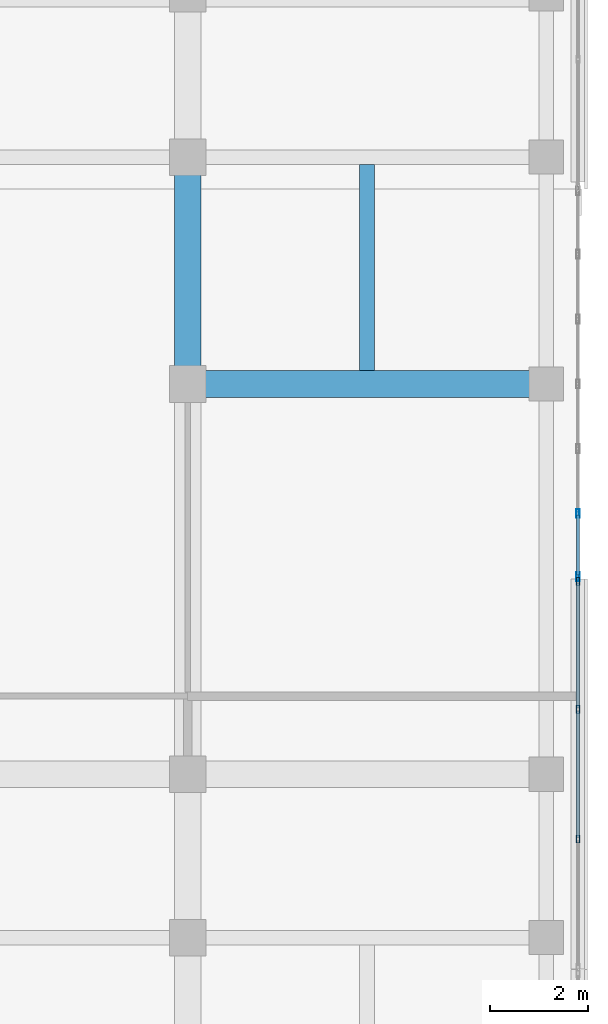
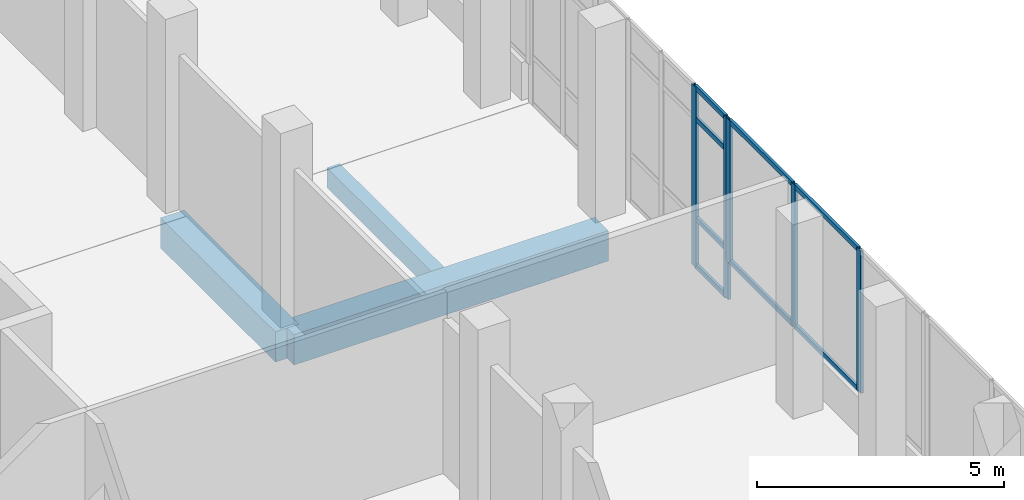
# One storey, part 103 of 155: 13 members, 3 beams, 2 elements without a shape of their own.
"""IFC4 building model written with IfcOpenShell, lengths in metres."""

from ifc_helpers import new_model, si_unit, direction, frame, origin, origin_2d, place, context, subcontext, project, spatial, rectangle, hollow_rectangle, extrude, material, material_profile, profile_set, type_object, element, aggregate, save


model = new_model("IFC4")

# Units and contexts
model_context = context("Model", 3, precision=1e-05, world=origin(), true_north=direction((0.0, 1.0)))
body_context = subcontext(model_context, "Body", "Model", "MODEL_VIEW")
ifc_project = project(units=[si_unit("LENGTHUNIT", "METRE"), si_unit("AREAUNIT", "SQUARE_METRE"), si_unit("VOLUMEUNIT", "CUBIC_METRE"), si_unit("PLANEANGLEUNIT", "RADIAN"), si_unit("MASSUNIT", "GRAM", prefix="KILO")], contexts=[model_context])

# Site, building, storey
site_placement = place(None, origin())
site = spatial("IfcSite", under=ifc_project, at=site_placement, CompositionType="ELEMENT")
building_placement = place(site_placement, origin())
building = spatial("IfcBuilding", under=site, at=building_placement, Name="Selatvlak General Hospital", CompositionType="ELEMENT")
storey_placement = place(building_placement, frame((0.0, 0.0, 10.199951171875)))
storey = spatial("IfcBuildingStorey", under=building, at=storey_placement, Name="L02", CompositionType="ELEMENT", Elevation=10.199951171875)

# Beams
ifc_material_1 = material(Name="Concrete C40/50", Category="concrete")
ifc_material_profile_1 = material_profile(ifc_material_1, rectangle(XDim=0.550048828125, YDim=0.75, at=origin_2d()), Name="RC-BM 550x750")
ifc_profile_set_1 = profile_set([ifc_material_profile_1], Name="Concrete C40/50")
beam_type_1 = type_object("IfcBeamType", Name="BM-G02", PredefinedType="BEAM", material=ifc_profile_set_1)
beam_1_placement = place(storey_placement, frame((174.0, 84.0, -0.72998046875), z_axis=(1.0, 0.0, 0.0), x_axis=(0.0, 1.0, 0.0)))
element("IfcBeam", 1, at=beam_1_placement, inside=storey, type_object=beam_type_1, Name="Beam BMR-L02-0817", PredefinedType="BEAM", context=body_context, shape_type="SweptSolid", body=[
    extrude(rectangle(XDim=0.550048828125, YDim=0.75, at=origin_2d()), origin(), (0.0, 0.0, 1.0), 7.35009765625),
])
beam_2_placement = place(storey_placement, frame((174.0, 84.0, -0.72998046875), z_axis=(0.0, 1.0, 0.0), x_axis=(-1.0, 0.0, 0.0)))
element("IfcBeam", 2, at=beam_2_placement, inside=storey, type_object=beam_type_1, Name="Beam BMR-L02-1065", PredefinedType="BEAM", context=body_context, shape_type="SweptSolid", body=[
    extrude(rectangle(XDim=0.550048828125, YDim=0.75, at=origin_2d()), origin(), (0.0, 0.0, 1.0), 4.64990234375),
])
ifc_material_profile_2 = material_profile(ifc_material_1, rectangle(XDim=0.300048828125, YDim=0.5, at=origin_2d()), Name="RC-BM 300x500")
ifc_profile_set_2 = profile_set([ifc_material_profile_2], Name="Concrete C40/50")
beam_type_2 = type_object("IfcBeamType", Name="BM-J02", PredefinedType="JOIST", material=ifc_profile_set_2)
beam_3_placement = place(storey_placement, frame((177.675048828125, 84.27490234375, -0.60498046875), z_axis=(0.0, 1.0, 0.0), x_axis=(-1.0, 0.0, 0.0)))
element("IfcBeam", 3, at=beam_3_placement, inside=storey, type_object=beam_type_2, Name="Beam BMR-L02-1088", PredefinedType="JOIST", context=body_context, shape_type="SweptSolid", body=[
    extrude(rectangle(XDim=0.300048828125, YDim=0.5, at=origin_2d()), origin(), (0.0, 0.0, 1.0), 4.22509765625),
])

# Curtain wall, members
ifc_material_2 = material(Name="Solar-control Low-E double glazing", Category="glass")
curtain_wall_type_1 = type_object("IfcCurtainWallType", Name="CW-CW-01", PredefinedType="USERDEFINED", material=ifc_material_2)
curtain_wall_1_placement = place(storey_placement, origin())
curtain_wall_1 = element("IfcCurtainWall", 4, at=curtain_wall_1_placement, inside=storey, type_object=curtain_wall_type_1, Name="Glazed facade curtain wall CW-L02-0268", ObjectType="UNITISED CURTAIN WALL", PredefinedType="USERDEFINED")
ifc_material_3 = material(Name="Dark anodised aluminium mullion", Category="aluminium")
ifc_material_profile_3 = material_profile(ifc_material_3, hollow_rectangle(XDim=0.06494140625, YDim=0.159912109375, WallThickness=0.00390625, at=origin_2d()), Name="AL-MUL 65x160x4")
ifc_profile_set_3 = profile_set([ifc_material_profile_3], Name="Dark anodised aluminium mullion")
member_type_1 = type_object("IfcMemberType", Name="CWM-01", PredefinedType="MULLION", material=ifc_profile_set_3)
member_1_placement = place(storey_placement, frame((182.0, 79.95361328125, 0.93994140625), z_axis=(0.0, 0.0, 1.0), x_axis=(1.0, 0.0, 0.0)))
member_1 = element("IfcMember", 5, at=member_1_placement, type_object=member_type_1, Name="CW-01 mullion 1", PredefinedType="MULLION", context=body_context, shape_type="SweptSolid", body=[
    extrude(hollow_rectangle(XDim=0.06494140625, YDim=0.159912109375, WallThickness=0.00390625, at=origin_2d()), origin(), (0.0, 0.0, 1.0), 3.52001953125),
])
member_2_placement = place(storey_placement, frame((182.0, 77.329345703125, 0.93994140625), z_axis=(0.0, 0.0, 1.0), x_axis=(1.0, 0.0, 0.0)))
member_2 = element("IfcMember", 6, at=member_2_placement, type_object=member_type_1, Name="CW-01 mullion 2", PredefinedType="MULLION", context=body_context, shape_type="SweptSolid", body=[
    extrude(hollow_rectangle(XDim=0.06494140625, YDim=0.159912109375, WallThickness=0.00390625, at=origin_2d()), origin(), (0.0, 0.0, 1.0), 3.52001953125),
])
member_3_placement = place(storey_placement, frame((182.0, 74.672607421875, 0.93994140625), z_axis=(0.0, 0.0, 1.0), x_axis=(1.0, 0.0, 0.0)))
member_3 = element("IfcMember", 7, at=member_3_placement, type_object=member_type_1, Name="CW-01 mullion 3", PredefinedType="MULLION", context=body_context, shape_type="SweptSolid", body=[
    extrude(hollow_rectangle(XDim=0.06494140625, YDim=0.159912109375, WallThickness=0.00390625, at=origin_2d()), origin(), (0.0, 0.0, 1.0), 3.52001953125),
])

curtain_wall_type_2 = type_object("IfcCurtainWallType", Name="CW-CW-04", PredefinedType="USERDEFINED", material=ifc_material_2)
curtain_wall_2_placement = place(storey_placement, origin())
curtain_wall_2 = element("IfcCurtainWall", 8, at=curtain_wall_2_placement, inside=storey, type_object=curtain_wall_type_2, Name="Glazed facade curtain wall CW-L02-0267", ObjectType="STICK GLAZING WALL", PredefinedType="USERDEFINED")
ifc_material_profile_4 = material_profile(ifc_material_3, hollow_rectangle(XDim=0.06494140625, YDim=0.179931640625, WallThickness=0.00439453125, at=origin_2d()), Name="AL-MUL 65x180x4.5")
ifc_profile_set_4 = profile_set([ifc_material_profile_4], Name="Dark anodised aluminium mullion")
member_type_2 = type_object("IfcMemberType", Name="CWM-02", PredefinedType="MULLION", material=ifc_profile_set_4)
member_4_placement = place(storey_placement, frame((182.0, 81.34423828125, 0.0), z_axis=(0.0, 0.0, 1.0), x_axis=(1.0, 0.0, 0.0)))
member_4 = element("IfcMember", 9, at=member_4_placement, type_object=member_type_2, Name="CW-04 mullion 6", PredefinedType="MULLION", context=body_context, shape_type="SweptSolid", body=[
    extrude(hollow_rectangle(XDim=0.06494140625, YDim=0.179931640625, WallThickness=0.00439453125, at=origin_2d()), origin(), (0.0, 0.0, 1.0), 4.4599609375),
])
member_5_placement = place(storey_placement, frame((182.0, 80.048583984375, 0.0), z_axis=(0.0, 0.0, 1.0), x_axis=(1.0, 0.0, 0.0)))
member_5 = element("IfcMember", 10, at=member_5_placement, type_object=member_type_2, Name="CW-04 mullion 7", PredefinedType="MULLION", context=body_context, shape_type="SweptSolid", body=[
    extrude(hollow_rectangle(XDim=0.06494140625, YDim=0.179931640625, WallThickness=0.00439453125, at=origin_2d()), origin(), (0.0, 0.0, 1.0), 4.4599609375),
])
ifc_material_profile_5 = material_profile(ifc_material_3, hollow_rectangle(XDim=0.06494140625, YDim=0.1201171875, WallThickness=0.00390625, at=origin_2d()), Name="AL-TRN 65x120x4")
ifc_profile_set_5 = profile_set([ifc_material_profile_5], Name="Dark anodised aluminium mullion")
member_type_3 = type_object("IfcMemberType", Name="CWT-01", PredefinedType="USERDEFINED", material=ifc_profile_set_5)
member_6_placement = place(storey_placement, frame((182.0, 81.311767578125, 0.032470703125), z_axis=(0.0, -1.0, 0.0), x_axis=(1.0, 0.0, 0.0)))
member_6 = element("IfcMember", 11, at=member_6_placement, type_object=member_type_3, Name="CW-04 transom 6.1", ObjectType="TRANSOM", PredefinedType="USERDEFINED", context=body_context, shape_type="SweptSolid", body=[
    extrude(hollow_rectangle(XDim=0.06494140625, YDim=0.1201171875, WallThickness=0.00390625, at=origin_2d()), origin(), (0.0, 0.0, 1.0), 1.230712890625),
])
member_7_placement = place(storey_placement, frame((182.0, 81.311767578125, 1.199951171875), z_axis=(0.0, -1.0, 0.0), x_axis=(1.0, 0.0, 0.0)))
member_7 = element("IfcMember", 12, at=member_7_placement, type_object=member_type_3, Name="CW-04 transom 6.2", ObjectType="TRANSOM", PredefinedType="USERDEFINED", context=body_context, shape_type="SweptSolid", body=[
    extrude(hollow_rectangle(XDim=0.06494140625, YDim=0.1201171875, WallThickness=0.00390625, at=origin_2d()), origin(), (0.0, 0.0, 1.0), 1.230712890625),
])
member_8_placement = place(storey_placement, frame((182.0, 81.311767578125, 3.66015625), z_axis=(0.0, -1.0, 0.0), x_axis=(1.0, 0.0, 0.0)))
member_8 = element("IfcMember", 13, at=member_8_placement, type_object=member_type_3, Name="CW-04 transom 6.3", ObjectType="TRANSOM", PredefinedType="USERDEFINED", context=body_context, shape_type="SweptSolid", body=[
    extrude(hollow_rectangle(XDim=0.06494140625, YDim=0.1201171875, WallThickness=0.00390625, at=origin_2d()), origin(), (0.0, 0.0, 1.0), 1.230712890625),
])
member_9_placement = place(storey_placement, frame((182.0, 81.311767578125, 4.427490234375), z_axis=(0.0, -1.0, 0.0), x_axis=(1.0, 0.0, 0.0)))
member_9 = element("IfcMember", 14, at=member_9_placement, type_object=member_type_3, Name="CW-04 transom 6.4", ObjectType="TRANSOM", PredefinedType="USERDEFINED", context=body_context, shape_type="SweptSolid", body=[
    extrude(hollow_rectangle(XDim=0.06494140625, YDim=0.1201171875, WallThickness=0.00390625, at=origin_2d()), origin(), (0.0, 0.0, 1.0), 1.230712890625),
])
aggregate(curtain_wall_2, [member_4, member_5, member_6, member_7, member_8, member_9])

# Member
member_10_placement = place(storey_placement, frame((182.0, 79.9208984375, 0.97265625), z_axis=(0.0, -1.0, 0.0), x_axis=(1.0, 0.0, 0.0)))
member_10 = element("IfcMember", 15, at=member_10_placement, type_object=member_type_3, Name="CW-01 transom 1.1", ObjectType="TRANSOM", PredefinedType="USERDEFINED", context=body_context, shape_type="SweptSolid", body=[
    extrude(hollow_rectangle(XDim=0.06494140625, YDim=0.1201171875, WallThickness=0.00390625, at=origin_2d()), origin(), (0.0, 0.0, 1.0), 2.55908203125),
])

member_11_placement = place(storey_placement, frame((182.0, 79.9208984375, 4.427490234375), z_axis=(0.0, -1.0, 0.0), x_axis=(1.0, 0.0, 0.0)))
member_11 = element("IfcMember", 16, at=member_11_placement, type_object=member_type_3, Name="CW-01 transom 1.2", ObjectType="TRANSOM", PredefinedType="USERDEFINED", context=body_context, shape_type="SweptSolid", body=[
    extrude(hollow_rectangle(XDim=0.06494140625, YDim=0.1201171875, WallThickness=0.00390625, at=origin_2d()), origin(), (0.0, 0.0, 1.0), 2.55908203125),
])

member_12_placement = place(storey_placement, frame((182.0, 77.296875, 0.97265625), z_axis=(0.0, -1.0, 0.0), x_axis=(1.0, 0.0, 0.0)))
member_12 = element("IfcMember", 17, at=member_12_placement, type_object=member_type_3, Name="CW-01 transom 2.1", ObjectType="TRANSOM", PredefinedType="USERDEFINED", context=body_context, shape_type="SweptSolid", body=[
    extrude(hollow_rectangle(XDim=0.06494140625, YDim=0.1201171875, WallThickness=0.00390625, at=origin_2d()), origin(), (0.0, 0.0, 1.0), 2.591796875),
])

member_13_placement = place(storey_placement, frame((182.0, 77.296875, 4.427490234375), z_axis=(0.0, -1.0, 0.0), x_axis=(1.0, 0.0, 0.0)))
member_13 = element("IfcMember", 18, at=member_13_placement, type_object=member_type_3, Name="CW-01 transom 2.2", ObjectType="TRANSOM", PredefinedType="USERDEFINED", context=body_context, shape_type="SweptSolid", body=[
    extrude(hollow_rectangle(XDim=0.06494140625, YDim=0.1201171875, WallThickness=0.00390625, at=origin_2d()), origin(), (0.0, 0.0, 1.0), 2.591796875),
])

aggregate(curtain_wall_1, [member_1, member_2, member_3, member_10, member_11, member_12, member_13])

save(model, "model.ifc")
